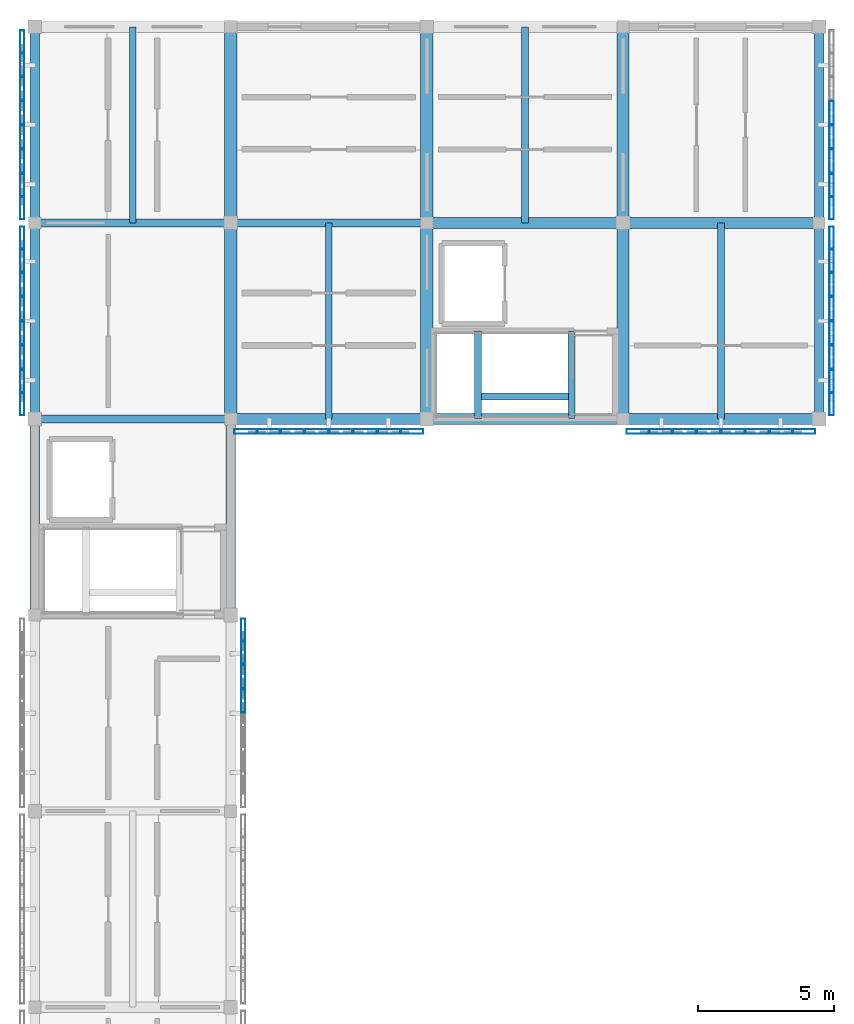
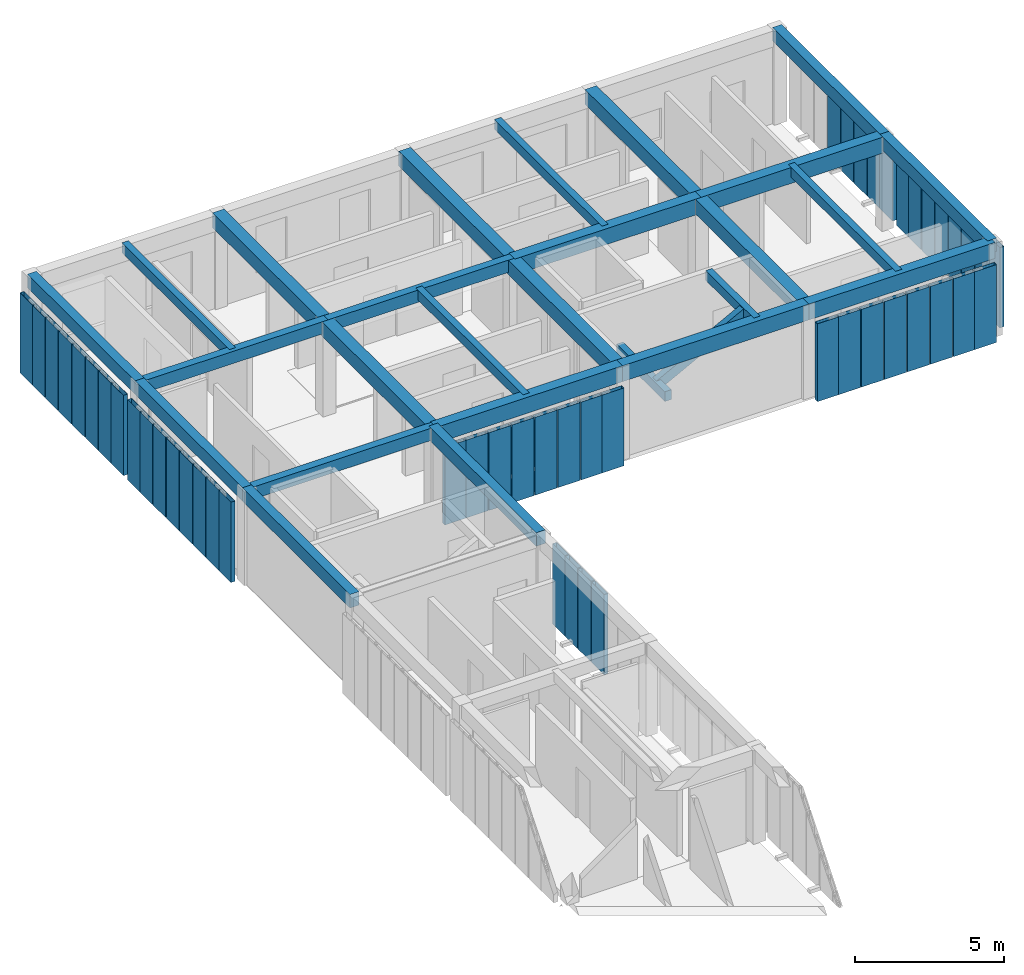
# One storey, part 2 of 14: 49 members, 27 beams, 7 elements without a shape of their own.
"""IFC4 building model written with IfcOpenShell, lengths in metres."""

import ifcopenshell
import ifcopenshell.guid

model = None  # the IFC model being written
_history = None  # IfcOwnerHistory: only IFC2X3 demands one
_inside = {}  # id of a spatial element -> (the spatial element, [elements in it])
_under = {}  # id of a project, library or spatial element -> (it, [spatial elements below it])
_declared = {}  # id of a project -> (the project, [libraries it declares])
_typed = {}  # id of a type object -> (the type object, [elements of that type])
_made_of = {}  # id of a material, layer set ... -> (it, [elements and type objects made of it])


def new_model(schema):
    """Start an empty IFC model of exactly this schema.

    Asked for "IFC4X3", IfcOpenShell would pick the latest addendum, in which some entities
    have other attributes; the version numbers below select the first issue.
    IFC2X3 requires an IfcOwnerHistory on every rooted entity: one is made here for all.
    """
    global model, _history
    if schema == "IFC4X3":
        model = ifcopenshell.file(schema_version=(4, 3, 0, 0))
    else:
        model = ifcopenshell.file(schema=schema)
    _inside.clear()
    _under.clear()
    _declared.clear()
    _typed.clear()
    _made_of.clear()
    _history = None
    if model.schema == "IFC2X3":
        org = make("IfcOrganization", Name="unknown")
        user = make(
            "IfcPersonAndOrganization",
            ThePerson=make("IfcPerson", FamilyName="unknown"),
            TheOrganization=org,
        )
        app = make(
            "IfcApplication",
            ApplicationDeveloper=org,
            Version="unknown",
            ApplicationFullName="unknown",
            ApplicationIdentifier="unknown",
        )
        _history = make(
            "IfcOwnerHistory",
            OwningUser=user,
            OwningApplication=app,
            ChangeAction="ADDED",
            CreationDate=0,
        )
    return model


def make(cls, **values):
    """One entity of the class cls with the attributes given. An attribute that is None is left unset."""
    return model.create_entity(
        cls, **{name: value for name, value in values.items() if value is not None}
    )


def rooted(cls, **values):
    """An entity with a GlobalId (a new one), such as an element, a storey or a relation."""
    return make(cls, GlobalId=ifcopenshell.guid.new(), OwnerHistory=_history, **values)


def si_unit(unit_type, name, prefix=None):
    """IfcSIUnit, for example si_unit("LENGTHUNIT", "METRE", prefix="MILLI")."""
    return make("IfcSIUnit", UnitType=unit_type, Prefix=prefix, Name=name)


def assignment(units):
    """IfcUnitAssignment: the units of a project."""
    return None if units is None else make("IfcUnitAssignment", Units=units)


def point(xyz):
    """IfcCartesianPoint."""
    return None if xyz is None else make("IfcCartesianPoint", Coordinates=xyz)


def direction(xyz):
    """IfcDirection."""
    return None if xyz is None else make("IfcDirection", DirectionRatios=xyz)


def frame(location, z_axis=None, x_axis=None):
    """IfcAxis2Placement3D, a coordinate frame: its origin and axes. An axis left out is left unset."""
    return make(
        "IfcAxis2Placement3D",
        Location=point(location),
        Axis=direction(z_axis),
        RefDirection=direction(x_axis),
    )


def frame_2d(location, x_axis=None):
    """IfcAxis2Placement2D, a coordinate frame in the plane: its origin and x axis."""
    return make(
        "IfcAxis2Placement2D", Location=point(location), RefDirection=direction(x_axis)
    )


def origin():
    """The frame at (0, 0, 0) with its axes left unset."""
    return frame((0.0, 0.0, 0.0))


def origin_2d():
    """The frame at (0, 0) in the plane with its x axis left unset."""
    return frame_2d((0.0, 0.0))


def place(relative_to, where):
    """IfcLocalPlacement: puts the frame where relative to a parent placement (None: the world)."""
    return make(
        "IfcLocalPlacement", PlacementRelTo=relative_to, RelativePlacement=where
    )


def context(
    kind, dimensions, precision=None, world=None, true_north=None, identifier=None
):
    """IfcGeometricRepresentationContext, for example the 3D "Model" context."""
    return make(
        "IfcGeometricRepresentationContext",
        ContextIdentifier=identifier,
        ContextType=kind,
        CoordinateSpaceDimension=dimensions,
        Precision=precision,
        WorldCoordinateSystem=world,
        TrueNorth=true_north,
    )


def subcontext(parent, identifier, kind, view, scale=None):
    """IfcGeometricRepresentationSubContext, for example "Body" below "Model"."""
    return make(
        "IfcGeometricRepresentationSubContext",
        ContextIdentifier=identifier,
        ContextType=kind,
        ParentContext=parent,
        TargetScale=scale,
        TargetView=view,
    )


def project(units=None, contexts=None):
    """IfcProject with its units and contexts."""
    return rooted(
        "IfcProject",
        Name="project",
        RepresentationContexts=contexts,
        UnitsInContext=assignment(units),
    )


def spatial(cls, under=None, at=None, **own):
    """A site, building, storey or space (cls), placed at a placement, below another one or the project."""
    s = rooted(cls, ObjectPlacement=at, **own)
    if under is not None:
        _under.setdefault(under.id(), (under, []))[1].append(s)
    return s


def profile(cls, at=None, kind="AREA", **sizes):
    """A parametric profile (cls). Its sizes go by their IFC names, for example OverallWidth=200.0."""
    return make(cls, ProfileType=kind, Position=at, **sizes)


def rectangle(**sizes):
    """IfcRectangleProfileDef."""
    return profile("IfcRectangleProfileDef", **sizes)


def hollow_rectangle(**sizes):
    """IfcRectangleHollowProfileDef."""
    return profile("IfcRectangleHollowProfileDef", **sizes)


def extrude(swept, where, along, depth):
    """IfcExtrudedAreaSolid: the profile swept, set in the frame where, extruded along a direction by depth."""
    return make(
        "IfcExtrudedAreaSolid",
        SweptArea=swept,
        Position=where,
        ExtrudedDirection=direction(along),
        Depth=depth,
    )


def shape(context_of_items, identifier, shape_type, items):
    """IfcShapeRepresentation: the items that make up one representation, for example the "Body"."""
    return make(
        "IfcShapeRepresentation",
        ContextOfItems=context_of_items,
        RepresentationIdentifier=identifier,
        RepresentationType=shape_type,
        Items=items,
    )


def material(Name=None, Category=None):
    """IfcMaterial."""
    return make("IfcMaterial", Name=Name, Category=Category)


def material_profile(
    of_material, cross_section, Name=None, Category=None, Priority=None
):
    """IfcMaterialProfile: a cross section and its material."""
    return make(
        "IfcMaterialProfile",
        Name=Name,
        Material=of_material,
        Profile=cross_section,
        Priority=Priority,
        Category=Category,
    )


def profile_set(profiles, Name=None, composite=None):
    """IfcMaterialProfileSet."""
    return make(
        "IfcMaterialProfileSet",
        Name=Name,
        MaterialProfiles=profiles,
        CompositeProfile=composite,
    )


def made_of(thing, what):
    """Note that an element or type object is made of a material, layer set ...; save() writes the relation."""
    if what is not None:
        _made_of.setdefault(what.id(), (what, []))[1].append(thing)
    return thing


def type_object(cls, material=None, **own):
    """A type object (cls), such as IfcWallType, which elements share."""
    return made_of(rooted(cls, **own), material)


def element(
    cls,
    number,
    at=None,
    inside=None,
    cuts=None,
    type_object=None,
    material=None,
    context=None,
    identifier="Body",
    shape_type=None,
    held_by="IfcProductDefinitionShape",
    body=None,
    shapes=None,
    **own,
):
    """One element of the class cls, such as IfcWall. Its Tag is "e" and its number.

    at: its placement. inside: the storey or other place that contains it. cuts: it is an
    opening in that element (IfcRelVoidsElement). A single representation is given by context,
    identifier, shape_type and body (its items); several are given by shapes. held_by: the class
    of the entity that holds the representations. save() writes the other relations.
    """
    e = rooted(cls, Tag="e%d" % number, ObjectPlacement=at, **own)
    if body is not None:
        shapes = [shape(context, identifier, shape_type, body)]
    if shapes is not None:
        e.Representation = make(held_by, Representations=shapes)
    if inside is not None:
        _inside.setdefault(inside.id(), (inside, []))[1].append(e)
    if cuts is not None:
        rooted(
            "IfcRelVoidsElement", RelatingBuildingElement=cuts, RelatedOpeningElement=e
        )
    if type_object is not None:
        _typed.setdefault(type_object.id(), (type_object, []))[1].append(e)
    return made_of(e, material)


def aggregate(whole, parts):
    """IfcRelAggregates: a whole, such as a stair, and the parts it consists of."""
    return rooted("IfcRelAggregates", RelatingObject=whole, RelatedObjects=parts)


def save(model, path):
    """Write the relations noted so far, then the file.

    IfcRelAggregates (storeys below a building ...), IfcRelContainedInSpatialStructure (elements
    in a storey), IfcRelDefinesByType, IfcRelAssociatesMaterial and IfcRelDeclares: one each for
    every whole, place, type object, material and project.
    """
    for whole, parts in _under.values():
        aggregate(whole, parts)
    for where, things in _inside.values():
        rooted(
            "IfcRelContainedInSpatialStructure",
            RelatedElements=things,
            RelatingStructure=where,
        )
    for kind, things in _typed.values():
        rooted("IfcRelDefinesByType", RelatedObjects=things, RelatingType=kind)
    for what, things in _made_of.values():
        rooted("IfcRelAssociatesMaterial", RelatedObjects=things, RelatingMaterial=what)
    for by, libraries in _declared.values():
        rooted("IfcRelDeclares", RelatingContext=by, RelatedDefinitions=libraries)
    model.write(path)


model = new_model("IFC4")

# Units and contexts
model_context = context("Model", 3, precision=1e-05, world=origin(), true_north=direction((0.0, 1.0)))
body_context = subcontext(model_context, "Body", "Model", "MODEL_VIEW")
ifc_project = project(units=[si_unit("LENGTHUNIT", "METRE"), si_unit("AREAUNIT", "SQUARE_METRE"), si_unit("VOLUMEUNIT", "CUBIC_METRE"), si_unit("PLANEANGLEUNIT", "RADIAN"), si_unit("MASSUNIT", "GRAM", prefix="KILO")], contexts=[model_context])

# Site, building, storey
site_placement = place(None, origin())
site = spatial("IfcSite", under=ifc_project, at=site_placement, CompositionType="ELEMENT")
building_placement = place(site_placement, origin())
building = spatial("IfcBuilding", under=site, at=building_placement, Name="Aldebral Square Health Centre", CompositionType="ELEMENT")
storey_placement = place(building_placement, frame((0.0, 0.0, 21.60009765625)))
storey = spatial("IfcBuildingStorey", under=building, at=storey_placement, Name="L05", CompositionType="ELEMENT", Elevation=21.60009765625)

# Beams
ifc_material_1 = material(Name="Concrete C40/50", Category="concrete")
ifc_material_profile_1 = material_profile(ifc_material_1, rectangle(XDim=0.39990234375, YDim=0.64990234375, at=origin_2d()), Name="RC 400x650")
ifc_profile_set_1 = profile_set([ifc_material_profile_1], Name="Concrete C40/50")
beam_type_1 = type_object("IfcBeamType", Name="BM-B1", PredefinedType="BEAM", material=ifc_profile_set_1)
beam_1_placement = place(storey_placement, frame((7.199951171875, 100.800048828125, 3.5048828125), z_axis=(1.0, 0.0, 0.0), x_axis=(0.0, 1.0, 0.0)))
element("IfcBeam", 1, at=beam_1_placement, inside=storey, type_object=beam_type_1, Name="L05 X-beam 2-3/G15", PredefinedType="BEAM", context=body_context, shape_type="SweptSolid", body=[
    extrude(rectangle(XDim=0.39990234375, YDim=0.64990234375, at=origin_2d()), origin(), (0.0, 0.0, 1.0), 7.199951171875),
])
for number, where, z_axis, x_axis, name in (
    (2, (14.39990234375, 100.800048828125, 3.5048828125), (1.0, 0.0, 0.0), (0.0, 1.0, 0.0), "L05 X-beam 3-4/G15"),
    (3, (14.39990234375, 108.0, 3.5048828125), (1.0, 0.0, 0.0), (0.0, 1.0, 0.0), "L05 X-beam 3-4/G16"),
):
    element("IfcBeam", number, at=place(storey_placement, frame(where, z_axis=z_axis, x_axis=x_axis)), inside=storey, type_object=beam_type_1, Name=name, PredefinedType="BEAM", context=body_context, shape_type="SweptSolid", body=[
        extrude(rectangle(XDim=0.39990234375, YDim=0.64990234375, at=origin_2d()), origin(), (0.0, 0.0, 1.0), 7.2001953125),
    ])
for number, where, z_axis, x_axis, name in (
    (4, (21.60009765625, 100.800048828125, 3.5048828125), (1.0, 0.0, 0.0), (0.0, 1.0, 0.0), "L05 X-beam 4-5/G15"),
    (5, (21.60009765625, 108.0, 3.5048828125), (1.0, 0.0, 0.0), (0.0, 1.0, 0.0), "L05 X-beam 4-5/G16"),
):
    element("IfcBeam", number, at=place(storey_placement, frame(where, z_axis=z_axis, x_axis=x_axis)), inside=storey, type_object=beam_type_1, Name=name, PredefinedType="BEAM", context=body_context, shape_type="SweptSolid", body=[
        extrude(rectangle(XDim=0.39990234375, YDim=0.64990234375, at=origin_2d()), origin(), (0.0, 0.0, 1.0), 7.199951171875),
    ])
ifc_material_profile_2 = material_profile(ifc_material_1, rectangle(XDim=0.35009765625, YDim=0.550048828125, at=origin_2d()), Name="RC 350x550")
ifc_profile_set_2 = profile_set([ifc_material_profile_2], Name="Concrete C40/50")
beam_type_2 = type_object("IfcBeamType", Name="BM-B3", PredefinedType="BEAM", material=ifc_profile_set_2)
for number, where, z_axis, x_axis, name in (
    (6, (0.0, 93.60009765625, 3.554931640625), (0.0, 1.0, 0.0), (-1.0, 0.0, 0.0), "L05 Y-beam G1/14-15"),
    (7, (0.0, 100.800048828125, 3.554931640625), (0.0, 1.0, 0.0), (-1.0, 0.0, 0.0), "L05 Y-beam G1/15-16"),
    (8, (0.0, 108.0, 3.554931640625), (0.0, 1.0, 0.0), (-1.0, 0.0, 0.0), "L05 Y-beam G1/16-17"),
    (9, (7.199951171875, 93.60009765625, 3.554931640625), (0.0, 1.0, 0.0), (-1.0, 0.0, 0.0), "L05 Y-beam G2/14-15"),
    (10, (28.800048828125, 100.800048828125, 3.554931640625), (0.0, 1.0, 0.0), (-1.0, 0.0, 0.0), "L05 Y-beam G5/15-16"),
    (11, (28.800048828125, 108.0, 3.554931640625), (0.0, 1.0, 0.0), (-1.0, 0.0, 0.0), "L05 Y-beam G5/16-17"),
):
    element("IfcBeam", number, at=place(storey_placement, frame(where, z_axis=z_axis, x_axis=x_axis)), inside=storey, type_object=beam_type_2, Name=name, PredefinedType="BEAM", context=body_context, shape_type="SweptSolid", body=[
        extrude(rectangle(XDim=0.35009765625, YDim=0.550048828125, at=origin_2d()), origin(), (0.0, 0.0, 1.0), 7.199951171875),
    ])
ifc_material_profile_3 = material_profile(ifc_material_1, rectangle(XDim=0.300048828125, YDim=0.5, at=origin_2d()), Name="RC 300x500")
ifc_profile_set_3 = profile_set([ifc_material_profile_3], Name="Concrete C40/50")
beam_type_3 = type_object("IfcBeamType", Name="BM-B4", PredefinedType="BEAM", material=ifc_profile_set_3)
for number, where, z_axis, x_axis, name in (
    (12, (0.0, 100.800048828125, 3.579833984375), (1.0, 0.0, 0.0), (0.0, 1.0, 0.0), "L05 X-beam 1-2/G15"),
    (13, (0.0, 108.0, 3.579833984375), (1.0, 0.0, 0.0), (0.0, 1.0, 0.0), "L05 X-beam 1-2/G16"),
    (14, (7.199951171875, 108.0, 3.579833984375), (1.0, 0.0, 0.0), (0.0, 1.0, 0.0), "L05 X-beam 2-3/G16"),
):
    element("IfcBeam", number, at=place(storey_placement, frame(where, z_axis=z_axis, x_axis=x_axis)), inside=storey, type_object=beam_type_3, Name=name, PredefinedType="BEAM", context=body_context, shape_type="SweptSolid", body=[
        extrude(rectangle(XDim=0.300048828125, YDim=0.5, at=origin_2d()), origin(), (0.0, 0.0, 1.0), 7.199951171875),
    ])
ifc_material_profile_4 = material_profile(ifc_material_1, rectangle(XDim=0.25, YDim=0.39990234375, at=origin_2d()), Name="RC 250x400")
ifc_profile_set_4 = profile_set([ifc_material_profile_4], Name="Concrete C40/50")
beam_type_4 = type_object("IfcBeamType", Name="BM-B6", PredefinedType="JOIST", material=ifc_profile_set_4)
for number, where, z_axis, x_axis, name in (
    (15, (3.60009765625, 108.0, 3.6298828125), (0.0, 1.0, 0.0), (-1.0, 0.0, 0.0), "L05 secondary rib 1.16"),
    (16, (10.800048828125, 100.800048828125, 3.6298828125), (0.0, 1.0, 0.0), (-1.0, 0.0, 0.0), "L05 secondary rib 2.15"),
    (17, (18.0, 108.0, 3.6298828125), (0.0, 1.0, 0.0), (-1.0, 0.0, 0.0), "L05 secondary rib 3.16"),
    (18, (25.199951171875, 100.800048828125, 3.6298828125), (0.0, 1.0, 0.0), (-1.0, 0.0, 0.0), "L05 secondary rib 4.15"),
):
    element("IfcBeam", number, at=place(storey_placement, frame(where, z_axis=z_axis, x_axis=x_axis)), inside=storey, type_object=beam_type_4, Name=name, PredefinedType="JOIST", context=body_context, shape_type="SweptSolid", body=[
        extrude(rectangle(XDim=0.25, YDim=0.39990234375, at=origin_2d()), origin(), (0.0, 0.0, 1.0), 7.199951171875),
    ])
for number, where, z_axis, x_axis, name in (
    (19, (16.280029296875, 100.81005859375, 1.824951171875), (0.0, 1.0, 0.0), (-1.0, 0.0, 0.0), "L05 WC-C2 half-landing beam"),
    (20, (19.719970703125, 100.81005859375, 3.6298828125), (0.0, 1.0, 0.0), (-1.0, 0.0, 0.0), "L05 WC-C2 upper landing beam"),
):
    element("IfcBeam", number, at=place(storey_placement, frame(where, z_axis=z_axis, x_axis=x_axis)), inside=storey, type_object=beam_type_4, Name=name, PredefinedType="JOIST", context=body_context, shape_type="SweptSolid", body=[
        extrude(rectangle(XDim=0.25, YDim=0.39990234375, at=origin_2d()), origin(), (0.0, 0.0, 1.0), 3.219970703125),
    ])
beam_2_placement = place(storey_placement, frame((16.280029296875, 101.6201171875, 1.824951171875), z_axis=(0.885507805645, 0.0, 0.464624500152), x_axis=(0.0, 1.0, 0.0)))
element("IfcBeam", 21, at=beam_2_placement, inside=storey, type_object=beam_type_4, Name="L05 WC-C2 flight stringer beam", PredefinedType="JOIST", context=body_context, shape_type="SweptSolid", body=[
    extrude(rectangle(XDim=0.25, YDim=0.39990234375, at=origin_2d()), origin(), (0.0, 0.0, 1.0), 3.884765625),
])
ifc_material_profile_5 = material_profile(ifc_material_1, rectangle(XDim=0.449951171875, YDim=0.60009765625, at=origin_2d()), Name="RC 450x600")
ifc_profile_set_5 = profile_set([ifc_material_profile_5], Name="Concrete C40/50")
beam_type_5 = type_object("IfcBeamType", Name="BM-LN1", PredefinedType="LINTEL", material=ifc_profile_set_5)
for number, where, z_axis, x_axis, name in (
    (22, (7.199951171875, 100.800048828125, 3.52978515625), (0.0, 1.0, 0.0), (-1.0, 0.0, 0.0), "L05 Y-beam G2/15-16"),
    (23, (7.199951171875, 108.0, 3.52978515625), (0.0, 1.0, 0.0), (-1.0, 0.0, 0.0), "L05 Y-beam G2/16-17"),
    (24, (14.39990234375, 100.800048828125, 3.52978515625), (0.0, 1.0, 0.0), (-1.0, 0.0, 0.0), "L05 Y-beam G3/15-16"),
    (25, (14.39990234375, 108.0, 3.52978515625), (0.0, 1.0, 0.0), (-1.0, 0.0, 0.0), "L05 Y-beam G3/16-17"),
    (26, (21.60009765625, 100.800048828125, 3.52978515625), (0.0, 1.0, 0.0), (-1.0, 0.0, 0.0), "L05 Y-beam G4/15-16"),
    (27, (21.60009765625, 108.0, 3.52978515625), (0.0, 1.0, 0.0), (-1.0, 0.0, 0.0), "L05 Y-beam G4/16-17"),
):
    element("IfcBeam", number, at=place(storey_placement, frame(where, z_axis=z_axis, x_axis=x_axis)), inside=storey, type_object=beam_type_5, Name=name, PredefinedType="LINTEL", context=body_context, shape_type="SweptSolid", body=[
        extrude(rectangle(XDim=0.449951171875, YDim=0.60009765625, at=origin_2d()), origin(), (0.0, 0.0, 1.0), 7.199951171875),
    ])

# Curtain wall, members
ifc_material_2 = material(Name="Aluminium and low-E solar glass", Category="aluminium")
curtain_wall_type = type_object("IfcCurtainWallType", Name="CW-FIN-SYS", PredefinedType="USERDEFINED", material=ifc_material_2)
curtain_wall_1_placement = place(storey_placement, origin())
curtain_wall_1 = element("IfcCurtainWall", 28, at=curtain_wall_1_placement, inside=storey, type_object=curtain_wall_type, Name="L05 V4 finned curtain wall L05-V4-00-12-E", ObjectType="SOLAR_CURTAIN_WALL", PredefinedType="USERDEFINED")
ifc_material_3 = material(Name="Sienna-terracotta clad aluminium fin", Category="masonry")
ifc_material_profile_6 = material_profile(ifc_material_3, hollow_rectangle(XDim=0.159912109375, YDim=0.85009765625, WallThickness=0.006103515625, at=origin_2d()), Name="FIN 160x850x6")
ifc_profile_set_6 = profile_set([ifc_material_profile_6], Name="Sienna-terracotta clad aluminium fin")
member_type = type_object("IfcMemberType", Name="CWM-FIN", PredefinedType="MULLION", material=ifc_profile_set_6)
member_1_placement = place(storey_placement, frame((7.659912109375, 90.44580078125, 0.0), z_axis=(0.0, 0.0, 1.0), x_axis=(-1.0, 0.0, 0.0)))
member_1 = element("IfcMember", 29, at=member_1_placement, type_object=member_type, Name="CW1 mullion 5", PredefinedType="MULLION", context=body_context, shape_type="SweptSolid", body=[
    extrude(hollow_rectangle(XDim=0.159912109375, YDim=0.85009765625, WallThickness=0.006103515625, at=origin_2d()), origin(), (0.0, 0.0, 1.0), 3.27978515625),
])
member_2_placement = place(storey_placement, frame((7.659912109375, 91.337158203125, 0.0), z_axis=(0.0, 0.0, 1.0), x_axis=(-1.0, 0.0, 0.0)))
member_2 = element("IfcMember", 30, at=member_2_placement, type_object=member_type, Name="CW1 mullion 6", PredefinedType="MULLION", context=body_context, shape_type="SweptSolid", body=[
    extrude(hollow_rectangle(XDim=0.159912109375, YDim=0.85009765625, WallThickness=0.006103515625, at=origin_2d()), origin(), (0.0, 0.0, 1.0), 3.27978515625),
])
member_3_placement = place(storey_placement, frame((7.659912109375, 92.228515625, 0.0), z_axis=(0.0, 0.0, 1.0), x_axis=(-1.0, 0.0, 0.0)))
member_3 = element("IfcMember", 31, at=member_3_placement, type_object=member_type, Name="CW1 mullion 7", PredefinedType="MULLION", context=body_context, shape_type="SweptSolid", body=[
    extrude(hollow_rectangle(XDim=0.159912109375, YDim=0.85009765625, WallThickness=0.006103515625, at=origin_2d()), origin(), (0.0, 0.0, 1.0), 3.27978515625),
])
member_4_placement = place(storey_placement, frame((7.659912109375, 93.0400390625, 0.0), z_axis=(0.0, 0.0, 1.0), x_axis=(-1.0, 0.0, 0.0)))
member_4 = element("IfcMember", 32, at=member_4_placement, type_object=member_type, Name="CW1 mullion 8", PredefinedType="MULLION", context=body_context, shape_type="SweptSolid", body=[
    extrude(hollow_rectangle(XDim=0.159912109375, YDim=0.85009765625, WallThickness=0.006103515625, at=origin_2d()), origin(), (0.0, 0.0, 1.0), 3.27978515625),
])
aggregate(curtain_wall_1, [member_1, member_2, member_3, member_4])

curtain_wall_2_placement = place(storey_placement, origin())
curtain_wall_2 = element("IfcCurtainWall", 33, at=curtain_wall_2_placement, inside=storey, type_object=curtain_wall_type, Name="L05 V4 finned curtain wall L05-V4-00-14-W", ObjectType="SOLAR_CURTAIN_WALL", PredefinedType="USERDEFINED")
member_5_placement = place(storey_placement, frame((-0.4599609375, 107.43994140625, 0.0), z_axis=(0.0, 0.0, 1.0), x_axis=(1.0, 0.0, 0.0)))
member_5 = element("IfcMember", 34, at=member_5_placement, type_object=member_type, Name="CW1 mullion 1", PredefinedType="MULLION", context=body_context, shape_type="SweptSolid", body=[
    extrude(hollow_rectangle(XDim=0.159912109375, YDim=0.85009765625, WallThickness=0.006103515625, at=origin_2d()), origin(), (0.0, 0.0, 1.0), 3.27978515625),
])
member_6_placement = place(storey_placement, frame((-0.4599609375, 106.628662109375, 0.0), z_axis=(0.0, 0.0, 1.0), x_axis=(1.0, 0.0, 0.0)))
member_6 = element("IfcMember", 35, at=member_6_placement, type_object=member_type, Name="CW1 mullion 2", PredefinedType="MULLION", context=body_context, shape_type="SweptSolid", body=[
    extrude(hollow_rectangle(XDim=0.159912109375, YDim=0.85009765625, WallThickness=0.006103515625, at=origin_2d()), origin(), (0.0, 0.0, 1.0), 3.27978515625),
])
member_7_placement = place(storey_placement, frame((-0.4599609375, 105.737060546875, 0.0), z_axis=(0.0, 0.0, 1.0), x_axis=(1.0, 0.0, 0.0)))
member_7 = element("IfcMember", 36, at=member_7_placement, type_object=member_type, Name="CW1 mullion 3", PredefinedType="MULLION", context=body_context, shape_type="SweptSolid", body=[
    extrude(hollow_rectangle(XDim=0.159912109375, YDim=0.85009765625, WallThickness=0.006103515625, at=origin_2d()), origin(), (0.0, 0.0, 1.0), 3.27978515625),
])
member_8_placement = place(storey_placement, frame((-0.4599609375, 104.845703125, 0.0), z_axis=(0.0, 0.0, 1.0), x_axis=(1.0, 0.0, 0.0)))
member_8 = element("IfcMember", 37, at=member_8_placement, type_object=member_type, Name="CW1 mullion 4", PredefinedType="MULLION", context=body_context, shape_type="SweptSolid", body=[
    extrude(hollow_rectangle(XDim=0.159912109375, YDim=0.85009765625, WallThickness=0.006103515625, at=origin_2d()), origin(), (0.0, 0.0, 1.0), 3.27978515625),
])
member_9_placement = place(storey_placement, frame((-0.4599609375, 103.954345703125, 0.0), z_axis=(0.0, 0.0, 1.0), x_axis=(1.0, 0.0, 0.0)))
member_9 = element("IfcMember", 38, at=member_9_placement, type_object=member_type, Name="CW1 mullion 5", PredefinedType="MULLION", context=body_context, shape_type="SweptSolid", body=[
    extrude(hollow_rectangle(XDim=0.159912109375, YDim=0.85009765625, WallThickness=0.006103515625, at=origin_2d()), origin(), (0.0, 0.0, 1.0), 3.27978515625),
])
member_10_placement = place(storey_placement, frame((-0.4599609375, 103.062744140625, 0.0), z_axis=(0.0, 0.0, 1.0), x_axis=(1.0, 0.0, 0.0)))
member_10 = element("IfcMember", 39, at=member_10_placement, type_object=member_type, Name="CW1 mullion 6", PredefinedType="MULLION", context=body_context, shape_type="SweptSolid", body=[
    extrude(hollow_rectangle(XDim=0.159912109375, YDim=0.85009765625, WallThickness=0.006103515625, at=origin_2d()), origin(), (0.0, 0.0, 1.0), 3.27978515625),
])
member_11_placement = place(storey_placement, frame((-0.4599609375, 102.17138671875, 0.0), z_axis=(0.0, 0.0, 1.0), x_axis=(1.0, 0.0, 0.0)))
member_11 = element("IfcMember", 40, at=member_11_placement, type_object=member_type, Name="CW1 mullion 7", PredefinedType="MULLION", context=body_context, shape_type="SweptSolid", body=[
    extrude(hollow_rectangle(XDim=0.159912109375, YDim=0.85009765625, WallThickness=0.006103515625, at=origin_2d()), origin(), (0.0, 0.0, 1.0), 3.27978515625),
])
member_12_placement = place(storey_placement, frame((-0.4599609375, 101.360107421875, 0.0), z_axis=(0.0, 0.0, 1.0), x_axis=(1.0, 0.0, 0.0)))
member_12 = element("IfcMember", 41, at=member_12_placement, type_object=member_type, Name="CW1 mullion 8", PredefinedType="MULLION", context=body_context, shape_type="SweptSolid", body=[
    extrude(hollow_rectangle(XDim=0.159912109375, YDim=0.85009765625, WallThickness=0.006103515625, at=origin_2d()), origin(), (0.0, 0.0, 1.0), 3.27978515625),
])
aggregate(curtain_wall_2, [member_5, member_6, member_7, member_8, member_9, member_10, member_11, member_12])

curtain_wall_3_placement = place(storey_placement, origin())
curtain_wall_3 = element("IfcCurtainWall", 42, at=curtain_wall_3_placement, inside=storey, type_object=curtain_wall_type, Name="L05 V4 finned curtain wall L05-V4-00-15-W", ObjectType="SOLAR_CURTAIN_WALL", PredefinedType="USERDEFINED")
member_13_placement = place(storey_placement, frame((-0.4599609375, 114.639892578125, 0.0), z_axis=(0.0, 0.0, 1.0), x_axis=(1.0, 0.0, 0.0)))
member_13 = element("IfcMember", 43, at=member_13_placement, type_object=member_type, Name="CW1 mullion 1", PredefinedType="MULLION", context=body_context, shape_type="SweptSolid", body=[
    extrude(hollow_rectangle(XDim=0.159912109375, YDim=0.85009765625, WallThickness=0.006103515625, at=origin_2d()), origin(), (0.0, 0.0, 1.0), 3.27978515625),
])
member_14_placement = place(storey_placement, frame((-0.4599609375, 113.82861328125, 0.0), z_axis=(0.0, 0.0, 1.0), x_axis=(1.0, 0.0, 0.0)))
member_14 = element("IfcMember", 44, at=member_14_placement, type_object=member_type, Name="CW1 mullion 2", PredefinedType="MULLION", context=body_context, shape_type="SweptSolid", body=[
    extrude(hollow_rectangle(XDim=0.159912109375, YDim=0.85009765625, WallThickness=0.006103515625, at=origin_2d()), origin(), (0.0, 0.0, 1.0), 3.27978515625),
])
member_15_placement = place(storey_placement, frame((-0.4599609375, 112.937255859375, 0.0), z_axis=(0.0, 0.0, 1.0), x_axis=(1.0, 0.0, 0.0)))
member_15 = element("IfcMember", 45, at=member_15_placement, type_object=member_type, Name="CW1 mullion 3", PredefinedType="MULLION", context=body_context, shape_type="SweptSolid", body=[
    extrude(hollow_rectangle(XDim=0.159912109375, YDim=0.85009765625, WallThickness=0.006103515625, at=origin_2d()), origin(), (0.0, 0.0, 1.0), 3.27978515625),
])
member_16_placement = place(storey_placement, frame((-0.4599609375, 112.045654296875, 0.0), z_axis=(0.0, 0.0, 1.0), x_axis=(1.0, 0.0, 0.0)))
member_16 = element("IfcMember", 46, at=member_16_placement, type_object=member_type, Name="CW1 mullion 4", PredefinedType="MULLION", context=body_context, shape_type="SweptSolid", body=[
    extrude(hollow_rectangle(XDim=0.159912109375, YDim=0.85009765625, WallThickness=0.006103515625, at=origin_2d()), origin(), (0.0, 0.0, 1.0), 3.27978515625),
])
member_17_placement = place(storey_placement, frame((-0.4599609375, 111.154296875, 0.0), z_axis=(0.0, 0.0, 1.0), x_axis=(1.0, 0.0, 0.0)))
member_17 = element("IfcMember", 47, at=member_17_placement, type_object=member_type, Name="CW1 mullion 5", PredefinedType="MULLION", context=body_context, shape_type="SweptSolid", body=[
    extrude(hollow_rectangle(XDim=0.159912109375, YDim=0.85009765625, WallThickness=0.006103515625, at=origin_2d()), origin(), (0.0, 0.0, 1.0), 3.27978515625),
])
member_18_placement = place(storey_placement, frame((-0.4599609375, 110.262939453125, 0.0), z_axis=(0.0, 0.0, 1.0), x_axis=(1.0, 0.0, 0.0)))
member_18 = element("IfcMember", 48, at=member_18_placement, type_object=member_type, Name="CW1 mullion 6", PredefinedType="MULLION", context=body_context, shape_type="SweptSolid", body=[
    extrude(hollow_rectangle(XDim=0.159912109375, YDim=0.85009765625, WallThickness=0.006103515625, at=origin_2d()), origin(), (0.0, 0.0, 1.0), 3.27978515625),
])
member_19_placement = place(storey_placement, frame((-0.4599609375, 109.371337890625, 0.0), z_axis=(0.0, 0.0, 1.0), x_axis=(1.0, 0.0, 0.0)))
member_19 = element("IfcMember", 49, at=member_19_placement, type_object=member_type, Name="CW1 mullion 7", PredefinedType="MULLION", context=body_context, shape_type="SweptSolid", body=[
    extrude(hollow_rectangle(XDim=0.159912109375, YDim=0.85009765625, WallThickness=0.006103515625, at=origin_2d()), origin(), (0.0, 0.0, 1.0), 3.27978515625),
])
member_20_placement = place(storey_placement, frame((-0.4599609375, 108.56005859375, 0.0), z_axis=(0.0, 0.0, 1.0), x_axis=(1.0, 0.0, 0.0)))
member_20 = element("IfcMember", 50, at=member_20_placement, type_object=member_type, Name="CW1 mullion 8", PredefinedType="MULLION", context=body_context, shape_type="SweptSolid", body=[
    extrude(hollow_rectangle(XDim=0.159912109375, YDim=0.85009765625, WallThickness=0.006103515625, at=origin_2d()), origin(), (0.0, 0.0, 1.0), 3.27978515625),
])
aggregate(curtain_wall_3, [member_13, member_14, member_15, member_16, member_17, member_18, member_19, member_20])

curtain_wall_4_placement = place(storey_placement, origin())
curtain_wall_4 = element("IfcCurtainWall", 51, at=curtain_wall_4_placement, inside=storey, type_object=curtain_wall_type, Name="L05 V4 finned curtain wall L05-V4-01-14-S", ObjectType="SOLAR_CURTAIN_WALL", PredefinedType="USERDEFINED")
member_21_placement = place(storey_placement, frame((7.760009765625, 100.340087890625, 0.0), z_axis=(0.0, 0.0, 1.0), x_axis=(0.0, 1.0, 0.0)))
member_21 = element("IfcMember", 52, at=member_21_placement, type_object=member_type, Name="CW1 mullion 1", PredefinedType="MULLION", context=body_context, shape_type="SweptSolid", body=[
    extrude(hollow_rectangle(XDim=0.159912109375, YDim=0.85009765625, WallThickness=0.006103515625, at=origin_2d()), origin(), (0.0, 0.0, 1.0), 3.179931640625),
])
member_22_placement = place(storey_placement, frame((8.571533203125, 100.340087890625, 0.0), z_axis=(0.0, 0.0, 1.0), x_axis=(0.0, 1.0, 0.0)))
member_22 = element("IfcMember", 53, at=member_22_placement, type_object=member_type, Name="CW1 mullion 2", PredefinedType="MULLION", context=body_context, shape_type="SweptSolid", body=[
    extrude(hollow_rectangle(XDim=0.159912109375, YDim=0.85009765625, WallThickness=0.006103515625, at=origin_2d()), origin(), (0.0, 0.0, 1.0), 3.179931640625),
])
member_23_placement = place(storey_placement, frame((9.462890625, 100.340087890625, 0.0), z_axis=(0.0, 0.0, 1.0), x_axis=(0.0, 1.0, 0.0)))
member_23 = element("IfcMember", 54, at=member_23_placement, type_object=member_type, Name="CW1 mullion 3", PredefinedType="MULLION", context=body_context, shape_type="SweptSolid", body=[
    extrude(hollow_rectangle(XDim=0.159912109375, YDim=0.85009765625, WallThickness=0.006103515625, at=origin_2d()), origin(), (0.0, 0.0, 1.0), 3.179931640625),
])
member_24_placement = place(storey_placement, frame((10.354248046875, 100.340087890625, 0.0), z_axis=(0.0, 0.0, 1.0), x_axis=(0.0, 1.0, 0.0)))
member_24 = element("IfcMember", 55, at=member_24_placement, type_object=member_type, Name="CW1 mullion 4", PredefinedType="MULLION", context=body_context, shape_type="SweptSolid", body=[
    extrude(hollow_rectangle(XDim=0.159912109375, YDim=0.85009765625, WallThickness=0.006103515625, at=origin_2d()), origin(), (0.0, 0.0, 1.0), 3.179931640625),
])
member_25_placement = place(storey_placement, frame((11.24560546875, 100.340087890625, 0.0), z_axis=(0.0, 0.0, 1.0), x_axis=(0.0, 1.0, 0.0)))
member_25 = element("IfcMember", 56, at=member_25_placement, type_object=member_type, Name="CW1 mullion 5", PredefinedType="MULLION", context=body_context, shape_type="SweptSolid", body=[
    extrude(hollow_rectangle(XDim=0.159912109375, YDim=0.85009765625, WallThickness=0.006103515625, at=origin_2d()), origin(), (0.0, 0.0, 1.0), 3.179931640625),
])
member_26_placement = place(storey_placement, frame((12.13720703125, 100.340087890625, 0.0), z_axis=(0.0, 0.0, 1.0), x_axis=(0.0, 1.0, 0.0)))
member_26 = element("IfcMember", 57, at=member_26_placement, type_object=member_type, Name="CW1 mullion 6", PredefinedType="MULLION", context=body_context, shape_type="SweptSolid", body=[
    extrude(hollow_rectangle(XDim=0.159912109375, YDim=0.85009765625, WallThickness=0.006103515625, at=origin_2d()), origin(), (0.0, 0.0, 1.0), 3.179931640625),
])
member_27_placement = place(storey_placement, frame((13.028564453125, 100.340087890625, 0.0), z_axis=(0.0, 0.0, 1.0), x_axis=(0.0, 1.0, 0.0)))
member_27 = element("IfcMember", 58, at=member_27_placement, type_object=member_type, Name="CW1 mullion 7", PredefinedType="MULLION", context=body_context, shape_type="SweptSolid", body=[
    extrude(hollow_rectangle(XDim=0.159912109375, YDim=0.85009765625, WallThickness=0.006103515625, at=origin_2d()), origin(), (0.0, 0.0, 1.0), 3.179931640625),
])
member_28_placement = place(storey_placement, frame((13.840087890625, 100.340087890625, 0.0), z_axis=(0.0, 0.0, 1.0), x_axis=(0.0, 1.0, 0.0)))
member_28 = element("IfcMember", 59, at=member_28_placement, type_object=member_type, Name="CW1 mullion 8", PredefinedType="MULLION", context=body_context, shape_type="SweptSolid", body=[
    extrude(hollow_rectangle(XDim=0.159912109375, YDim=0.85009765625, WallThickness=0.006103515625, at=origin_2d()), origin(), (0.0, 0.0, 1.0), 3.179931640625),
])
aggregate(curtain_wall_4, [member_21, member_22, member_23, member_24, member_25, member_26, member_27, member_28])

curtain_wall_5_placement = place(storey_placement, origin())
curtain_wall_5 = element("IfcCurtainWall", 60, at=curtain_wall_5_placement, inside=storey, type_object=curtain_wall_type, Name="L05 V4 finned curtain wall L05-V4-03-14-S", ObjectType="SOLAR_CURTAIN_WALL", PredefinedType="USERDEFINED")
member_29_placement = place(storey_placement, frame((22.159912109375, 100.340087890625, 0.0), z_axis=(0.0, 0.0, 1.0), x_axis=(0.0, 1.0, 0.0)))
member_29 = element("IfcMember", 61, at=member_29_placement, type_object=member_type, Name="CW1 mullion 1", PredefinedType="MULLION", context=body_context, shape_type="SweptSolid", body=[
    extrude(hollow_rectangle(XDim=0.159912109375, YDim=0.85009765625, WallThickness=0.006103515625, at=origin_2d()), origin(), (0.0, 0.0, 1.0), 3.179931640625),
])
member_30_placement = place(storey_placement, frame((22.971435546875, 100.340087890625, 0.0), z_axis=(0.0, 0.0, 1.0), x_axis=(0.0, 1.0, 0.0)))
member_30 = element("IfcMember", 62, at=member_30_placement, type_object=member_type, Name="CW1 mullion 2", PredefinedType="MULLION", context=body_context, shape_type="SweptSolid", body=[
    extrude(hollow_rectangle(XDim=0.159912109375, YDim=0.85009765625, WallThickness=0.006103515625, at=origin_2d()), origin(), (0.0, 0.0, 1.0), 3.179931640625),
])
member_31_placement = place(storey_placement, frame((23.86279296875, 100.340087890625, 0.0), z_axis=(0.0, 0.0, 1.0), x_axis=(0.0, 1.0, 0.0)))
member_31 = element("IfcMember", 63, at=member_31_placement, type_object=member_type, Name="CW1 mullion 3", PredefinedType="MULLION", context=body_context, shape_type="SweptSolid", body=[
    extrude(hollow_rectangle(XDim=0.159912109375, YDim=0.85009765625, WallThickness=0.006103515625, at=origin_2d()), origin(), (0.0, 0.0, 1.0), 3.179931640625),
])
member_32_placement = place(storey_placement, frame((24.75439453125, 100.340087890625, 0.0), z_axis=(0.0, 0.0, 1.0), x_axis=(0.0, 1.0, 0.0)))
member_32 = element("IfcMember", 64, at=member_32_placement, type_object=member_type, Name="CW1 mullion 4", PredefinedType="MULLION", context=body_context, shape_type="SweptSolid", body=[
    extrude(hollow_rectangle(XDim=0.159912109375, YDim=0.85009765625, WallThickness=0.006103515625, at=origin_2d()), origin(), (0.0, 0.0, 1.0), 3.179931640625),
])
member_33_placement = place(storey_placement, frame((25.645751953125, 100.340087890625, 0.0), z_axis=(0.0, 0.0, 1.0), x_axis=(0.0, 1.0, 0.0)))
member_33 = element("IfcMember", 65, at=member_33_placement, type_object=member_type, Name="CW1 mullion 5", PredefinedType="MULLION", context=body_context, shape_type="SweptSolid", body=[
    extrude(hollow_rectangle(XDim=0.159912109375, YDim=0.85009765625, WallThickness=0.006103515625, at=origin_2d()), origin(), (0.0, 0.0, 1.0), 3.179931640625),
])
member_34_placement = place(storey_placement, frame((26.537109375, 100.340087890625, 0.0), z_axis=(0.0, 0.0, 1.0), x_axis=(0.0, 1.0, 0.0)))
member_34 = element("IfcMember", 66, at=member_34_placement, type_object=member_type, Name="CW1 mullion 6", PredefinedType="MULLION", context=body_context, shape_type="SweptSolid", body=[
    extrude(hollow_rectangle(XDim=0.159912109375, YDim=0.85009765625, WallThickness=0.006103515625, at=origin_2d()), origin(), (0.0, 0.0, 1.0), 3.179931640625),
])
member_35_placement = place(storey_placement, frame((27.428466796875, 100.340087890625, 0.0), z_axis=(0.0, 0.0, 1.0), x_axis=(0.0, 1.0, 0.0)))
member_35 = element("IfcMember", 67, at=member_35_placement, type_object=member_type, Name="CW1 mullion 7", PredefinedType="MULLION", context=body_context, shape_type="SweptSolid", body=[
    extrude(hollow_rectangle(XDim=0.159912109375, YDim=0.85009765625, WallThickness=0.006103515625, at=origin_2d()), origin(), (0.0, 0.0, 1.0), 3.179931640625),
])
member_36_placement = place(storey_placement, frame((28.239990234375, 100.340087890625, 0.0), z_axis=(0.0, 0.0, 1.0), x_axis=(0.0, 1.0, 0.0)))
member_36 = element("IfcMember", 68, at=member_36_placement, type_object=member_type, Name="CW1 mullion 8", PredefinedType="MULLION", context=body_context, shape_type="SweptSolid", body=[
    extrude(hollow_rectangle(XDim=0.159912109375, YDim=0.85009765625, WallThickness=0.006103515625, at=origin_2d()), origin(), (0.0, 0.0, 1.0), 3.179931640625),
])
aggregate(curtain_wall_5, [member_29, member_30, member_31, member_32, member_33, member_34, member_35, member_36])

curtain_wall_6_placement = place(storey_placement, origin())
curtain_wall_6 = element("IfcCurtainWall", 69, at=curtain_wall_6_placement, inside=storey, type_object=curtain_wall_type, Name="L05 V4 finned curtain wall L05-V4-03-14-E", ObjectType="SOLAR_CURTAIN_WALL", PredefinedType="USERDEFINED")
member_37_placement = place(storey_placement, frame((29.260009765625, 101.360107421875, 0.0), z_axis=(0.0, 0.0, 1.0), x_axis=(-1.0, 0.0, 0.0)))
member_37 = element("IfcMember", 70, at=member_37_placement, type_object=member_type, Name="CW1 mullion 1", PredefinedType="MULLION", context=body_context, shape_type="SweptSolid", body=[
    extrude(hollow_rectangle(XDim=0.159912109375, YDim=0.85009765625, WallThickness=0.006103515625, at=origin_2d()), origin(), (0.0, 0.0, 1.0), 3.27978515625),
])
member_38_placement = place(storey_placement, frame((29.260009765625, 102.17138671875, 0.0), z_axis=(0.0, 0.0, 1.0), x_axis=(-1.0, 0.0, 0.0)))
member_38 = element("IfcMember", 71, at=member_38_placement, type_object=member_type, Name="CW1 mullion 2", PredefinedType="MULLION", context=body_context, shape_type="SweptSolid", body=[
    extrude(hollow_rectangle(XDim=0.159912109375, YDim=0.85009765625, WallThickness=0.006103515625, at=origin_2d()), origin(), (0.0, 0.0, 1.0), 3.27978515625),
])
member_39_placement = place(storey_placement, frame((29.260009765625, 103.062744140625, 0.0), z_axis=(0.0, 0.0, 1.0), x_axis=(-1.0, 0.0, 0.0)))
member_39 = element("IfcMember", 72, at=member_39_placement, type_object=member_type, Name="CW1 mullion 3", PredefinedType="MULLION", context=body_context, shape_type="SweptSolid", body=[
    extrude(hollow_rectangle(XDim=0.159912109375, YDim=0.85009765625, WallThickness=0.006103515625, at=origin_2d()), origin(), (0.0, 0.0, 1.0), 3.27978515625),
])
member_40_placement = place(storey_placement, frame((29.260009765625, 103.954345703125, 0.0), z_axis=(0.0, 0.0, 1.0), x_axis=(-1.0, 0.0, 0.0)))
member_40 = element("IfcMember", 73, at=member_40_placement, type_object=member_type, Name="CW1 mullion 4", PredefinedType="MULLION", context=body_context, shape_type="SweptSolid", body=[
    extrude(hollow_rectangle(XDim=0.159912109375, YDim=0.85009765625, WallThickness=0.006103515625, at=origin_2d()), origin(), (0.0, 0.0, 1.0), 3.27978515625),
])
member_41_placement = place(storey_placement, frame((29.260009765625, 104.845703125, 0.0), z_axis=(0.0, 0.0, 1.0), x_axis=(-1.0, 0.0, 0.0)))
member_41 = element("IfcMember", 74, at=member_41_placement, type_object=member_type, Name="CW1 mullion 5", PredefinedType="MULLION", context=body_context, shape_type="SweptSolid", body=[
    extrude(hollow_rectangle(XDim=0.159912109375, YDim=0.85009765625, WallThickness=0.006103515625, at=origin_2d()), origin(), (0.0, 0.0, 1.0), 3.27978515625),
])
member_42_placement = place(storey_placement, frame((29.260009765625, 105.737060546875, 0.0), z_axis=(0.0, 0.0, 1.0), x_axis=(-1.0, 0.0, 0.0)))
member_42 = element("IfcMember", 75, at=member_42_placement, type_object=member_type, Name="CW1 mullion 6", PredefinedType="MULLION", context=body_context, shape_type="SweptSolid", body=[
    extrude(hollow_rectangle(XDim=0.159912109375, YDim=0.85009765625, WallThickness=0.006103515625, at=origin_2d()), origin(), (0.0, 0.0, 1.0), 3.27978515625),
])
member_43_placement = place(storey_placement, frame((29.260009765625, 106.628662109375, 0.0), z_axis=(0.0, 0.0, 1.0), x_axis=(-1.0, 0.0, 0.0)))
member_43 = element("IfcMember", 76, at=member_43_placement, type_object=member_type, Name="CW1 mullion 7", PredefinedType="MULLION", context=body_context, shape_type="SweptSolid", body=[
    extrude(hollow_rectangle(XDim=0.159912109375, YDim=0.85009765625, WallThickness=0.006103515625, at=origin_2d()), origin(), (0.0, 0.0, 1.0), 3.27978515625),
])
member_44_placement = place(storey_placement, frame((29.260009765625, 107.43994140625, 0.0), z_axis=(0.0, 0.0, 1.0), x_axis=(-1.0, 0.0, 0.0)))
member_44 = element("IfcMember", 77, at=member_44_placement, type_object=member_type, Name="CW1 mullion 8", PredefinedType="MULLION", context=body_context, shape_type="SweptSolid", body=[
    extrude(hollow_rectangle(XDim=0.159912109375, YDim=0.85009765625, WallThickness=0.006103515625, at=origin_2d()), origin(), (0.0, 0.0, 1.0), 3.27978515625),
])
aggregate(curtain_wall_6, [member_37, member_38, member_39, member_40, member_41, member_42, member_43, member_44])

curtain_wall_7_placement = place(storey_placement, origin())
curtain_wall_7 = element("IfcCurtainWall", 78, at=curtain_wall_7_placement, inside=storey, type_object=curtain_wall_type, Name="L05 V4 finned curtain wall L05-V4-03-15-E", ObjectType="SOLAR_CURTAIN_WALL", PredefinedType="USERDEFINED")
member_45_placement = place(storey_placement, frame((29.260009765625, 108.56005859375, 0.0), z_axis=(0.0, 0.0, 1.0), x_axis=(-1.0, 0.0, 0.0)))
member_45 = element("IfcMember", 79, at=member_45_placement, type_object=member_type, Name="CW1 mullion 1", PredefinedType="MULLION", context=body_context, shape_type="SweptSolid", body=[
    extrude(hollow_rectangle(XDim=0.159912109375, YDim=0.85009765625, WallThickness=0.006103515625, at=origin_2d()), origin(), (0.0, 0.0, 1.0), 3.27978515625),
])
member_46_placement = place(storey_placement, frame((29.260009765625, 109.371337890625, 0.0), z_axis=(0.0, 0.0, 1.0), x_axis=(-1.0, 0.0, 0.0)))
member_46 = element("IfcMember", 80, at=member_46_placement, type_object=member_type, Name="CW1 mullion 2", PredefinedType="MULLION", context=body_context, shape_type="SweptSolid", body=[
    extrude(hollow_rectangle(XDim=0.159912109375, YDim=0.85009765625, WallThickness=0.006103515625, at=origin_2d()), origin(), (0.0, 0.0, 1.0), 3.27978515625),
])
member_47_placement = place(storey_placement, frame((29.260009765625, 110.262939453125, 0.0), z_axis=(0.0, 0.0, 1.0), x_axis=(-1.0, 0.0, 0.0)))
member_47 = element("IfcMember", 81, at=member_47_placement, type_object=member_type, Name="CW1 mullion 3", PredefinedType="MULLION", context=body_context, shape_type="SweptSolid", body=[
    extrude(hollow_rectangle(XDim=0.159912109375, YDim=0.85009765625, WallThickness=0.006103515625, at=origin_2d()), origin(), (0.0, 0.0, 1.0), 3.27978515625),
])
member_48_placement = place(storey_placement, frame((29.260009765625, 111.154296875, 0.0), z_axis=(0.0, 0.0, 1.0), x_axis=(-1.0, 0.0, 0.0)))
member_48 = element("IfcMember", 82, at=member_48_placement, type_object=member_type, Name="CW1 mullion 4", PredefinedType="MULLION", context=body_context, shape_type="SweptSolid", body=[
    extrude(hollow_rectangle(XDim=0.159912109375, YDim=0.85009765625, WallThickness=0.006103515625, at=origin_2d()), origin(), (0.0, 0.0, 1.0), 3.27978515625),
])
member_49_placement = place(storey_placement, frame((29.260009765625, 112.045654296875, 0.0), z_axis=(0.0, 0.0, 1.0), x_axis=(-1.0, 0.0, 0.0)))
member_49 = element("IfcMember", 83, at=member_49_placement, type_object=member_type, Name="CW1 mullion 5", PredefinedType="MULLION", context=body_context, shape_type="SweptSolid", body=[
    extrude(hollow_rectangle(XDim=0.159912109375, YDim=0.85009765625, WallThickness=0.006103515625, at=origin_2d()), origin(), (0.0, 0.0, 1.0), 3.27978515625),
])
aggregate(curtain_wall_7, [member_45, member_46, member_47, member_48, member_49])

save(model, "model.ifc")
